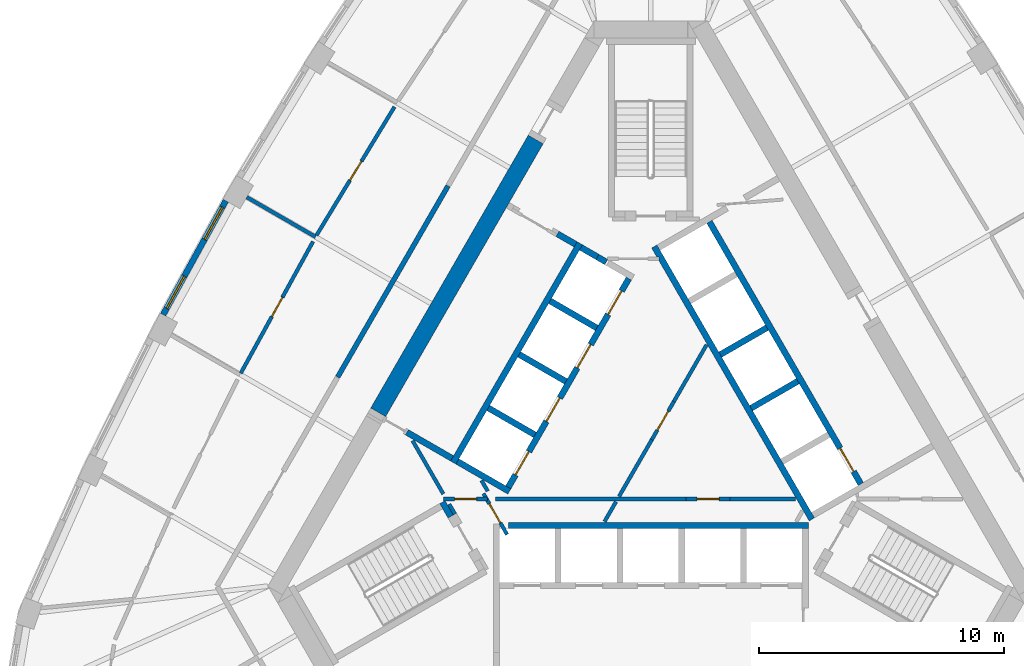
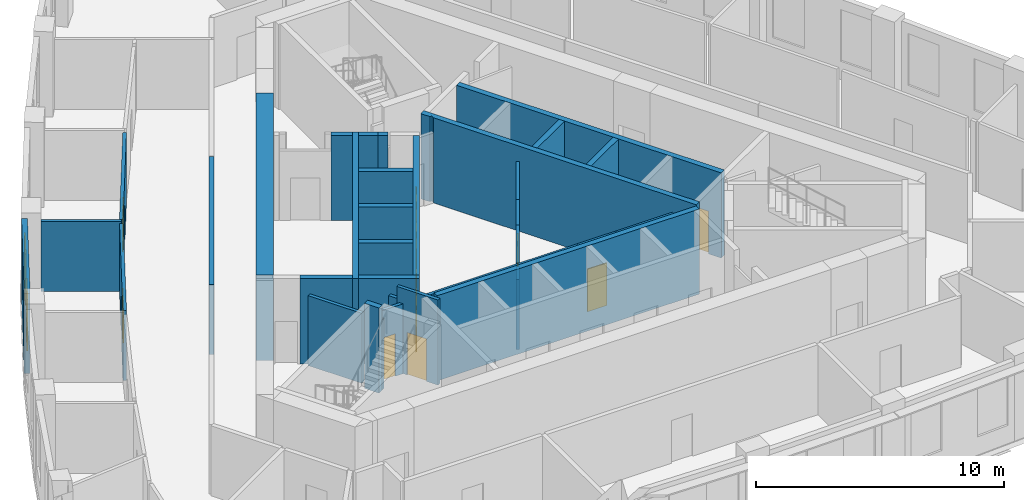
# One storey, part 5 of 11: 34 walls, 11 doors, 2 windows, 13 openings.
"""IFC4 building model written with IfcOpenShell, lengths in metres."""

import ifcopenshell
import ifcopenshell.guid

model = None  # the IFC model being written
_history = None  # IfcOwnerHistory: only IFC2X3 demands one
_inside = {}  # id of a spatial element -> (the spatial element, [elements in it])
_under = {}  # id of a project, library or spatial element -> (it, [spatial elements below it])
_declared = {}  # id of a project -> (the project, [libraries it declares])
_typed = {}  # id of a type object -> (the type object, [elements of that type])
_made_of = {}  # id of a material, layer set ... -> (it, [elements and type objects made of it])


def new_model(schema):
    """Start an empty IFC model of exactly this schema.

    Asked for "IFC4X3", IfcOpenShell would pick the latest addendum, in which some entities
    have other attributes; the version numbers below select the first issue.
    IFC2X3 requires an IfcOwnerHistory on every rooted entity: one is made here for all.
    """
    global model, _history
    if schema == "IFC4X3":
        model = ifcopenshell.file(schema_version=(4, 3, 0, 0))
    else:
        model = ifcopenshell.file(schema=schema)
    _inside.clear()
    _under.clear()
    _declared.clear()
    _typed.clear()
    _made_of.clear()
    _history = None
    if model.schema == "IFC2X3":
        org = make("IfcOrganization", Name="unknown")
        user = make(
            "IfcPersonAndOrganization",
            ThePerson=make("IfcPerson", FamilyName="unknown"),
            TheOrganization=org,
        )
        app = make(
            "IfcApplication",
            ApplicationDeveloper=org,
            Version="unknown",
            ApplicationFullName="unknown",
            ApplicationIdentifier="unknown",
        )
        _history = make(
            "IfcOwnerHistory",
            OwningUser=user,
            OwningApplication=app,
            ChangeAction="ADDED",
            CreationDate=0,
        )
    return model


def make(cls, **values):
    """One entity of the class cls with the attributes given. An attribute that is None is left unset."""
    return model.create_entity(
        cls, **{name: value for name, value in values.items() if value is not None}
    )


def rooted(cls, **values):
    """An entity with a GlobalId (a new one), such as an element, a storey or a relation."""
    return make(cls, GlobalId=ifcopenshell.guid.new(), OwnerHistory=_history, **values)


def si_unit(unit_type, name, prefix=None):
    """IfcSIUnit, for example si_unit("LENGTHUNIT", "METRE", prefix="MILLI")."""
    return make("IfcSIUnit", UnitType=unit_type, Prefix=prefix, Name=name)


def assignment(units):
    """IfcUnitAssignment: the units of a project."""
    return None if units is None else make("IfcUnitAssignment", Units=units)


def point(xyz):
    """IfcCartesianPoint."""
    return None if xyz is None else make("IfcCartesianPoint", Coordinates=xyz)


def direction(xyz):
    """IfcDirection."""
    return None if xyz is None else make("IfcDirection", DirectionRatios=xyz)


def frame(location, z_axis=None, x_axis=None):
    """IfcAxis2Placement3D, a coordinate frame: its origin and axes. An axis left out is left unset."""
    return make(
        "IfcAxis2Placement3D",
        Location=point(location),
        Axis=direction(z_axis),
        RefDirection=direction(x_axis),
    )


def frame_2d(location, x_axis=None):
    """IfcAxis2Placement2D, a coordinate frame in the plane: its origin and x axis."""
    return make(
        "IfcAxis2Placement2D", Location=point(location), RefDirection=direction(x_axis)
    )


def origin():
    """The frame at (0, 0, 0) with its axes left unset."""
    return frame((0.0, 0.0, 0.0))


def place(relative_to, where):
    """IfcLocalPlacement: puts the frame where relative to a parent placement (None: the world)."""
    return make(
        "IfcLocalPlacement", PlacementRelTo=relative_to, RelativePlacement=where
    )


def context(
    kind, dimensions, precision=None, world=None, true_north=None, identifier=None
):
    """IfcGeometricRepresentationContext, for example the 3D "Model" context."""
    return make(
        "IfcGeometricRepresentationContext",
        ContextIdentifier=identifier,
        ContextType=kind,
        CoordinateSpaceDimension=dimensions,
        Precision=precision,
        WorldCoordinateSystem=world,
        TrueNorth=true_north,
    )


def subcontext(parent, identifier, kind, view, scale=None):
    """IfcGeometricRepresentationSubContext, for example "Body" below "Model"."""
    return make(
        "IfcGeometricRepresentationSubContext",
        ContextIdentifier=identifier,
        ContextType=kind,
        ParentContext=parent,
        TargetScale=scale,
        TargetView=view,
    )


def project(units=None, contexts=None):
    """IfcProject with its units and contexts."""
    return rooted(
        "IfcProject",
        Name="project",
        RepresentationContexts=contexts,
        UnitsInContext=assignment(units),
    )


def spatial(cls, under=None, at=None, **own):
    """A site, building, storey or space (cls), placed at a placement, below another one or the project."""
    s = rooted(cls, ObjectPlacement=at, **own)
    if under is not None:
        _under.setdefault(under.id(), (under, []))[1].append(s)
    return s


def polyline(points):
    """IfcPolyline through the points."""
    return make("IfcPolyline", Points=[point(p) for p in points])


def profile(cls, at=None, kind="AREA", **sizes):
    """A parametric profile (cls). Its sizes go by their IFC names, for example OverallWidth=200.0."""
    return make(cls, ProfileType=kind, Position=at, **sizes)


def rectangle(**sizes):
    """IfcRectangleProfileDef."""
    return profile("IfcRectangleProfileDef", **sizes)


def outline(outer, holes=None, kind="AREA"):
    """IfcArbitraryClosedProfileDef: a profile drawn as a closed curve; with holes, ...WithVoids."""
    if holes is None:
        return make("IfcArbitraryClosedProfileDef", ProfileType=kind, OuterCurve=outer)
    return make(
        "IfcArbitraryProfileDefWithVoids",
        ProfileType=kind,
        OuterCurve=outer,
        InnerCurves=holes,
    )


def extrude(swept, where, along, depth):
    """IfcExtrudedAreaSolid: the profile swept, set in the frame where, extruded along a direction by depth."""
    return make(
        "IfcExtrudedAreaSolid",
        SweptArea=swept,
        Position=where,
        ExtrudedDirection=direction(along),
        Depth=depth,
    )


def shape(context_of_items, identifier, shape_type, items):
    """IfcShapeRepresentation: the items that make up one representation, for example the "Body"."""
    return make(
        "IfcShapeRepresentation",
        ContextOfItems=context_of_items,
        RepresentationIdentifier=identifier,
        RepresentationType=shape_type,
        Items=items,
    )


def material(Name=None, Category=None):
    """IfcMaterial."""
    return make("IfcMaterial", Name=Name, Category=Category)


def layer(
    of_material, thickness, ventilated=None, Name=None, Category=None, Priority=None
):
    """IfcMaterialLayer: one layer of a wall or slab, of a material (None: an air gap)."""
    return make(
        "IfcMaterialLayer",
        Material=of_material,
        LayerThickness=thickness,
        IsVentilated=ventilated,
        Name=Name,
        Category=Category,
        Priority=Priority,
    )


def layer_set(layers, Name=None):
    """IfcMaterialLayerSet."""
    return make("IfcMaterialLayerSet", MaterialLayers=layers, LayerSetName=Name)


def made_of(thing, what):
    """Note that an element or type object is made of a material, layer set ...; save() writes the relation."""
    if what is not None:
        _made_of.setdefault(what.id(), (what, []))[1].append(thing)
    return thing


def type_object(cls, material=None, **own):
    """A type object (cls), such as IfcWallType, which elements share."""
    return made_of(rooted(cls, **own), material)


def element(
    cls,
    number,
    at=None,
    inside=None,
    cuts=None,
    type_object=None,
    material=None,
    context=None,
    identifier="Body",
    shape_type=None,
    held_by="IfcProductDefinitionShape",
    body=None,
    shapes=None,
    **own,
):
    """One element of the class cls, such as IfcWall. Its Tag is "e" and its number.

    at: its placement. inside: the storey or other place that contains it. cuts: it is an
    opening in that element (IfcRelVoidsElement). A single representation is given by context,
    identifier, shape_type and body (its items); several are given by shapes. held_by: the class
    of the entity that holds the representations. save() writes the other relations.
    """
    e = rooted(cls, Tag="e%d" % number, ObjectPlacement=at, **own)
    if body is not None:
        shapes = [shape(context, identifier, shape_type, body)]
    if shapes is not None:
        e.Representation = make(held_by, Representations=shapes)
    if inside is not None:
        _inside.setdefault(inside.id(), (inside, []))[1].append(e)
    if cuts is not None:
        rooted(
            "IfcRelVoidsElement", RelatingBuildingElement=cuts, RelatedOpeningElement=e
        )
    if type_object is not None:
        _typed.setdefault(type_object.id(), (type_object, []))[1].append(e)
    return made_of(e, material)


def fill(opening, filler):
    """IfcRelFillsElement: the door or window that sits in an opening."""
    return rooted(
        "IfcRelFillsElement",
        RelatingOpeningElement=opening,
        RelatedBuildingElement=filler,
    )


def aggregate(whole, parts):
    """IfcRelAggregates: a whole, such as a stair, and the parts it consists of."""
    return rooted("IfcRelAggregates", RelatingObject=whole, RelatedObjects=parts)


def save(model, path):
    """Write the relations noted so far, then the file.

    IfcRelAggregates (storeys below a building ...), IfcRelContainedInSpatialStructure (elements
    in a storey), IfcRelDefinesByType, IfcRelAssociatesMaterial and IfcRelDeclares: one each for
    every whole, place, type object, material and project.
    """
    for whole, parts in _under.values():
        aggregate(whole, parts)
    for where, things in _inside.values():
        rooted(
            "IfcRelContainedInSpatialStructure",
            RelatedElements=things,
            RelatingStructure=where,
        )
    for kind, things in _typed.values():
        rooted("IfcRelDefinesByType", RelatedObjects=things, RelatingType=kind)
    for what, things in _made_of.values():
        rooted("IfcRelAssociatesMaterial", RelatedObjects=things, RelatingMaterial=what)
    for by, libraries in _declared.values():
        rooted("IfcRelDeclares", RelatingContext=by, RelatedDefinitions=libraries)
    model.write(path)


model = new_model("IFC4")

# Units and contexts
model_context = context("Model", 3, precision=1e-05, world=origin(), true_north=direction((0.0, 1.0)))
body_context = subcontext(model_context, "Body", "Model", "MODEL_VIEW")
ifc_project = project(units=[si_unit("LENGTHUNIT", "METRE"), si_unit("AREAUNIT", "SQUARE_METRE"), si_unit("VOLUMEUNIT", "CUBIC_METRE"), si_unit("PLANEANGLEUNIT", "RADIAN"), si_unit("MASSUNIT", "GRAM", prefix="KILO")], contexts=[model_context])

# Site, building, storey
site_placement = place(None, origin())
site = spatial("IfcSite", under=ifc_project, at=site_placement, CompositionType="ELEMENT")
building_placement = place(site_placement, origin())
building = spatial("IfcBuilding", under=site, at=building_placement, Name="Mestral Congress Tower", CompositionType="ELEMENT")
storey_placement = place(building_placement, frame((0.0, 0.0, 205.800048828125)))
storey = spatial("IfcBuildingStorey", under=building, at=storey_placement, Name="L48", CompositionType="ELEMENT", Elevation=205.800048828125)

# Walls
ifc_material_1 = material(Name="Fire-rated board partition")
ifc_layer_1 = layer(ifc_material_1, 0.14990234375)
ifc_layer_set_1 = layer_set([ifc_layer_1], Name="Fire-rated board partition")
wall_type_1 = type_object("IfcWallType", Name="Core partition 150", PredefinedType="PARTITIONING", material=ifc_layer_set_1)
wall_1_placement = place(storey_placement, frame((-9.717529296875, -0.41748046875, 0.0), z_axis=(0.0, 0.0, 1.0), x_axis=(0.499966538646, -0.866044721844, 0.0)))
element("IfcWall", 1, at=wall_1_placement, inside=storey, type_object=wall_type_1, Name="L48 core wall", PredefinedType="PARTITIONING", context=body_context, shape_type="SweptSolid", body=[
    extrude(rectangle(XDim=2.510986328125, YDim=0.14990234375, at=frame_2d((1.25537109375, 0.0))), origin(), (0.0, 0.0, 1.0), 3.449951171875),
])
wall_2_placement = place(storey_placement, frame((0.94091796875, 1.179443359375, 0.0), z_axis=(0.0, 0.0, 1.0), x_axis=(0.499962406319, 0.866047107418, 0.0)))
element("IfcWall", 2, at=wall_2_placement, inside=storey, type_object=wall_type_1, Name="L48 core wall", PredefinedType="PARTITIONING", context=body_context, shape_type="SweptSolid", body=[
    extrude(rectangle(XDim=2.671630859375, YDim=0.14990234375, at=frame_2d((1.3359375, 0.0))), origin(), (0.0, 0.0, 1.0), 3.449951171875),
])
wall_3_placement = place(storey_placement, frame((1.438232421875, -2.800048828125, 0.0), z_axis=(0.0, 0.0, 1.0), x_axis=(-1.0, 0.0, 0.0)))
element("IfcWall", 3, at=wall_3_placement, inside=storey, type_object=wall_type_1, Name="L48 core wall", PredefinedType="PARTITIONING", context=body_context, shape_type="SweptSolid", body=[
    extrude(rectangle(XDim=7.78125, YDim=0.14990234375, at=frame_2d((3.890625, 0.0))), origin(), (0.0, 0.0, 1.0), 3.449951171875),
])
wall_4_placement = place(storey_placement, frame((-1.41845703125, -2.90673828125, 0.0), z_axis=(0.0, 0.0, 1.0), x_axis=(-0.499978056798, -0.866038072327, 0.0)))
element("IfcWall", 4, at=wall_4_placement, inside=storey, type_object=wall_type_1, Name="L48 core wall", PredefinedType="PARTITIONING", context=body_context, shape_type="SweptSolid", body=[
    extrude(rectangle(XDim=0.93701171875, YDim=0.14990234375, at=frame_2d((0.468505859375, 0.0))), origin(), (0.0, 0.0, 1.0), 3.449951171875),
])
for number, where, z_axis, x_axis, name in (
    (5, (-1.295166015625, -2.693115234375, 0.0), (0.0, 0.0, 1.0), (0.500030943131, 0.866007538022, 0.0), "L48 core wall"),
    (6, (3.23828125, -2.800048828125, 0.0), (0.0, 0.0, 1.0), (1.0, 0.0, 0.0), "L48 core wall"),
):
    element("IfcWall", number, at=place(storey_placement, frame(where, z_axis=z_axis, x_axis=x_axis)), inside=storey, type_object=wall_type_1, Name=name, PredefinedType="PARTITIONING", context=body_context, shape_type="SweptSolid", body=[
        extrude(rectangle(XDim=2.671630859375, YDim=0.14990234375, at=frame_2d((1.3359375, 0.0))), origin(), (0.0, 0.0, 1.0), 3.449951171875),
    ])
wall_5_placement = place(storey_placement, frame((-6.65283203125, -2.476806640625, 0.0), z_axis=(0.0, 0.0, 1.0), x_axis=(-0.500002592159, 0.866023907196, 0.0)))
element("IfcWall", 7, at=wall_5_placement, inside=storey, type_object=wall_type_1, Name="L48 core wall", PredefinedType="PARTITIONING", context=body_context, shape_type="SweptSolid", body=[
    extrude(rectangle(XDim=0.5029296875, YDim=0.14990234375, at=frame_2d((0.25146484375, 0.0))), origin(), (0.0, 0.0, 1.0), 3.449951171875),
])
wall_6_placement = place(storey_placement, frame((-7.990234375, -3.41162109375, 0.0), z_axis=(0.0, 0.0, 1.0), x_axis=(-0.499858525911, 0.866107068482, 0.0)))
element("IfcWall", 8, at=wall_6_placement, inside=storey, type_object=wall_type_1, Name="L48 core wall", PredefinedType="PARTITIONING", context=body_context, shape_type="SweptSolid", body=[
    extrude(rectangle(XDim=0.466064453125, YDim=0.14990234375, at=frame_2d((0.23291015625, 0.0))), origin(), (0.0, 0.0, 1.0), 3.449951171875),
])

# Wall, opening, door
wall_7_placement = place(storey_placement, frame((0.040771484375, -0.37939453125, 0.0), z_axis=(0.0, 0.0, 1.0), x_axis=(0.499961193289, 0.866047807691, 0.0)))
wall_7 = element("IfcWall", 9, at=wall_7_placement, inside=storey, type_object=wall_type_1, Name="L48 door wall", PredefinedType="PARTITIONING", context=body_context, shape_type="SweptSolid", body=[
    extrude(rectangle(XDim=1.800048828125, YDim=0.14990234375, at=frame_2d((0.89990234375, 0.0))), origin(), (0.0, 0.0, 1.0), 3.449951171875),
])
opening_1_placement = place(wall_7_placement, frame((0.449951171875, 0.0, 0.0)))
opening_1 = element("IfcOpeningElement", 10, at=opening_1_placement, cuts=wall_7, Name="Opening SD-HUB0", PredefinedType="OPENING", context=body_context, shape_type="SweptSolid", body=[
    extrude(rectangle(XDim=0.89990234375, YDim=2.10009765625, at=frame_2d((0.449951171875, 1.050048828125))), frame((0.0, 0.0849609375, 0.0), z_axis=(0.0, -1.0, 0.0), x_axis=(1.0, 0.0, 0.0)), (0.0, 0.0, 1.0), 0.169921875),
])
ifc_material_2 = material(Name="Fire-rated steel door set", Category="steel")
door_type_1 = type_object("IfcDoorType", Name="Core door SR 900x2100", OperationType="SINGLE_SWING_LEFT", PredefinedType="DOOR", material=ifc_material_2)
door_1_placement = place(opening_1_placement, origin())
door_1 = element("IfcDoor", 11, at=door_1_placement, inside=storey, type_object=door_type_1, Name="Door SD-HUB0", OperationType="SINGLE_SWING_LEFT", OverallHeight=2.10009765625, OverallWidth=0.89990234375, PredefinedType="DOOR", context=body_context, shape_type="SweptSolid", body=[
    extrude(rectangle(XDim=0.89990234375, YDim=2.10009765625, at=frame_2d((0.449951171875, 1.050048828125))), frame((0.0, 0.02490234375, 0.0), z_axis=(0.0, -1.0, 0.0), x_axis=(1.0, 0.0, 0.0)), (0.0, 0.0, 1.0), 0.050048828125),
])
fill(opening_1, door_1)

wall_8_placement = place(storey_placement, frame((1.438232421875, -2.800048828125, 0.0), z_axis=(0.0, 0.0, 1.0), x_axis=(1.0, 0.0, 0.0)))
wall_8 = element("IfcWall", 12, at=wall_8_placement, inside=storey, type_object=wall_type_1, Name="L48 door wall", PredefinedType="PARTITIONING", context=body_context, shape_type="SweptSolid", body=[
    extrude(rectangle(XDim=1.800048828125, YDim=0.14990234375, at=frame_2d((0.89990234375, 0.0))), origin(), (0.0, 0.0, 1.0), 3.449951171875),
])
opening_2_placement = place(wall_8_placement, frame((0.449951171875, 0.0, 0.0)))
opening_2 = element("IfcOpeningElement", 13, at=opening_2_placement, cuts=wall_8, Name="Opening SD-HUB2", PredefinedType="OPENING", context=body_context, shape_type="SweptSolid", body=[
    extrude(rectangle(XDim=0.89990234375, YDim=2.10009765625, at=frame_2d((0.449951171875, 1.050048828125))), frame((0.0, 0.0849609375, 0.0), z_axis=(0.0, -1.0, 0.0), x_axis=(1.0, 0.0, 0.0)), (0.0, 0.0, 1.0), 0.169921875),
])
door_2_placement = place(opening_2_placement, origin())
door_2 = element("IfcDoor", 14, at=door_2_placement, inside=storey, type_object=door_type_1, Name="Door SD-HUB2", OperationType="SINGLE_SWING_LEFT", OverallHeight=2.10009765625, OverallWidth=0.89990234375, PredefinedType="DOOR", context=body_context, shape_type="SweptSolid", body=[
    extrude(rectangle(XDim=0.89990234375, YDim=2.10009765625, at=frame_2d((0.449951171875, 1.050048828125))), frame((0.0, 0.02490234375, 0.0), z_axis=(0.0, -1.0, 0.0), x_axis=(1.0, 0.0, 0.0)), (0.0, 0.0, 1.0), 0.050048828125),
])
fill(opening_2, door_2)

wall_9_placement = place(storey_placement, frame((-6.654541015625, -2.800048828125, 0.0), z_axis=(0.0, 0.0, 1.0), x_axis=(-1.0, 0.0, 0.0)))
wall_9 = element("IfcWall", 15, at=wall_9_placement, inside=storey, type_object=wall_type_1, Name="L48 door wall", PredefinedType="PARTITIONING", context=body_context, shape_type="SweptSolid", body=[
    extrude(rectangle(XDim=1.800048828125, YDim=0.14990234375, at=frame_2d((0.89990234375, 0.0))), origin(), (0.0, 0.0, 1.0), 3.449951171875),
])
opening_3_placement = place(wall_9_placement, frame((0.449951171875, 0.0, 0.0)))
opening_3 = element("IfcOpeningElement", 16, at=opening_3_placement, cuts=wall_9, Name="Opening SD-HUB5", PredefinedType="OPENING", context=body_context, shape_type="SweptSolid", body=[
    extrude(rectangle(XDim=0.89990234375, YDim=2.10009765625, at=frame_2d((0.449951171875, 1.050048828125))), frame((0.0, 0.0849609375, 0.0), z_axis=(0.0, -1.0, 0.0), x_axis=(1.0, 0.0, 0.0)), (0.0, 0.0, 1.0), 0.169921875),
])
door_3_placement = place(opening_3_placement, origin())
door_3 = element("IfcDoor", 17, at=door_3_placement, inside=storey, type_object=door_type_1, Name="Door SD-HUB5", OperationType="SINGLE_SWING_LEFT", OverallHeight=2.10009765625, OverallWidth=0.89990234375, PredefinedType="DOOR", context=body_context, shape_type="SweptSolid", body=[
    extrude(rectangle(XDim=0.89990234375, YDim=2.10009765625, at=frame_2d((0.449951171875, 1.050048828125))), frame((0.0, 0.02490234375, 0.0), z_axis=(0.0, -1.0, 0.0), x_axis=(1.0, 0.0, 0.0)), (0.0, 0.0, 1.0), 0.050048828125),
])
fill(opening_3, door_3)

# Wall
ifc_material_3 = material(Name="Concrete C60/75", Category="concrete")
ifc_layer_2 = layer(ifc_material_3, 0.699951171875)
ifc_layer_set_2 = layer_set([ifc_layer_2], Name="Concrete C60/75")
wall_type_2 = type_object("IfcWallType", Name="Core wall RC 700", PredefinedType="SOLIDWALL", material=ifc_layer_set_2)
wall_10_placement = place(storey_placement, frame((-4.695556640625, 11.866943359375, 0.0), z_axis=(0.0, 0.0, 1.0), x_axis=(-0.500003726532, -0.866023252259, 0.0)))
element("IfcWall", 18, at=wall_10_placement, inside=storey, type_object=wall_type_2, Name="L48 core wall", PredefinedType="SOLIDWALL", context=body_context, shape_type="SweptSolid", body=[
    extrude(rectangle(XDim=12.84814453125, YDim=0.699951171875, at=frame_2d((6.424072265625, 0.0))), origin(), (0.0, 0.0, 1.0), 4.199951171875),
])

# Wall, openings, windows
ifc_material_4 = material(Name="Precast concrete C40/50 with limestone facing", Category="masonry")
ifc_layer_3 = layer(ifc_material_4, 0.239990234375)
ifc_layer_set_3 = layer_set([ifc_layer_3], Name="Precast concrete C40/50 with limestone facing")
wall_type_3 = type_object("IfcWallType", Name="Facade stone wall 240", PredefinedType="SOLIDWALL", material=ifc_layer_set_3)
wall_11_placement = place(storey_placement, frame((-17.338134765625, 9.367919921875, 0.0), z_axis=(0.0, 0.0, 1.0), x_axis=(-0.481925825015, -0.876212017256, 0.0)))
wall_11 = element("IfcWall", 19, at=wall_11_placement, inside=storey, type_object=wall_type_3, Name="Facade wall F2-03", PredefinedType="SOLIDWALL", context=body_context, shape_type="SweptSolid", body=[
    extrude(rectangle(XDim=5.298583984375, YDim=0.239990234375, at=frame_2d((2.6494140625, 0.0))), origin(), (0.0, 0.0, 1.0), 3.949951171875),
])
opening_4_placement = place(wall_11_placement, frame((0.294677734375, 0.0, 0.89990234375)))
opening_4 = element("IfcOpeningElement", 20, at=opening_4_placement, cuts=wall_11, Name="Opening W4", PredefinedType="OPENING", context=body_context, shape_type="SweptSolid", body=[
    extrude(rectangle(XDim=1.5, YDim=2.550048828125, at=frame_2d((0.75, 1.27490234375))), frame((0.0, 0.1298828125, 0.0), z_axis=(0.0, -1.0, 0.0), x_axis=(1.0, 0.0, 0.0)), (0.0, 0.0, 1.0), 0.260009765625),
])
opening_5_placement = place(wall_11_placement, frame((3.503662109375, 0.0, 0.89990234375)))
opening_5 = element("IfcOpeningElement", 21, at=opening_5_placement, cuts=wall_11, Name="Opening W4", PredefinedType="OPENING", context=body_context, shape_type="SweptSolid", body=[
    extrude(rectangle(XDim=1.5, YDim=2.550048828125, at=frame_2d((0.75, 1.27490234375))), frame((0.0, 0.1298828125, 0.0), z_axis=(0.0, -1.0, 0.0), x_axis=(1.0, 0.0, 0.0)), (0.0, 0.0, 1.0), 0.260009765625),
])
ifc_material_5 = material(Name="Clear low-emissivity double glazing", Category="glass")
window_type = type_object("IfcWindowType", Name="Facade punched window 1500 x 2550 sill 900", PartitioningType="SINGLE_PANEL", PredefinedType="WINDOW", material=ifc_material_5)
window_1_placement = place(opening_4_placement, origin())
window_1 = element("IfcWindow", 22, at=window_1_placement, inside=storey, type_object=window_type, Name="Window F2-03a", OverallHeight=2.550048828125, OverallWidth=1.5, PartitioningType="SINGLE_PANEL", PredefinedType="WINDOW", context=body_context, shape_type="SweptSolid", body=[
    extrude(rectangle(XDim=1.5, YDim=2.550048828125, at=frame_2d((0.75, 1.27490234375))), frame((0.0, 0.0400390625, 0.0), z_axis=(0.0, -1.0, 0.0), x_axis=(1.0, 0.0, 0.0)), (0.0, 0.0, 1.0), 0.06005859375),
])
fill(opening_4, window_1)
window_2_placement = place(opening_5_placement, origin())
window_2 = element("IfcWindow", 23, at=window_2_placement, inside=storey, type_object=window_type, Name="Window F2-03b", OverallHeight=2.550048828125, OverallWidth=1.5, PartitioningType="SINGLE_PANEL", PredefinedType="WINDOW", context=body_context, shape_type="SweptSolid", body=[
    extrude(rectangle(XDim=1.5, YDim=2.550048828125, at=frame_2d((0.75, 1.27490234375))), frame((0.0, 0.0400390625, 0.0), z_axis=(0.0, -1.0, 0.0), x_axis=(1.0, 0.0, 0.0)), (0.0, 0.0, 1.0), 0.06005859375),
])
fill(opening_5, window_2)

# Wall
ifc_material_6 = material(Name="Plasterboard partition on steel studs", Category="steel")
ifc_layer_4 = layer(ifc_material_6, 0.14990234375)
ifc_layer_set_4 = layer_set([ifc_layer_4], Name="Plasterboard partition on steel studs")
wall_type_4 = type_object("IfcWallType", Name="Office partition 150", PredefinedType="PARTITIONING", material=ifc_layer_set_4)
wall_12_placement = place(storey_placement, frame((-13.67431640625, 7.89501953125, 0.0), z_axis=(0.0, 0.0, 1.0), x_axis=(-0.866032537582, 0.499987643696, 0.0)))
element("IfcWall", 24, at=wall_12_placement, inside=storey, type_object=wall_type_4, Name="Partition", PredefinedType="PARTITIONING", context=body_context, shape_type="SweptSolid", body=[
    extrude(rectangle(XDim=3.24072265625, YDim=0.14990234375, at=frame_2d((1.620361328125, 0.0))), origin(), (0.0, 0.0, 1.0), 3.449951171875),
])

# Wall, opening, door
wall_13_placement = place(storey_placement, frame((-13.635498046875, 7.958984375, 0.0), z_axis=(0.0, 0.0, 1.0), x_axis=(0.518788941184, 0.854902353784, 0.0)))
wall_13 = element("IfcWall", 25, at=wall_13_placement, inside=storey, type_object=wall_type_4, Name="Partition", PredefinedType="PARTITIONING", context=body_context, shape_type="SweptSolid", body=[
    extrude(rectangle(XDim=6.129150390625, YDim=0.14990234375, at=frame_2d((3.064453125, 0.0))), origin(), (0.0, 0.0, 1.0), 3.449951171875),
])
opening_6_placement = place(wall_13_placement, frame((2.62890625, 0.0, 0.0)))
opening_6 = element("IfcOpeningElement", 26, at=opening_6_placement, cuts=wall_13, Name="Opening O06-013", PredefinedType="OPENING", context=body_context, shape_type="SweptSolid", body=[
    extrude(rectangle(XDim=0.89990234375, YDim=2.10009765625, at=frame_2d((0.449951171875, 1.050048828125))), frame((0.0, 0.0849609375, 0.0), z_axis=(0.0, -1.0, 0.0), x_axis=(1.0, 0.0, 0.0)), (0.0, 0.0, 1.0), 0.169921875),
])
ifc_material_7 = material(Name="Timber door set", Category="wood")
door_type_2 = type_object("IfcDoorType", Name="Office door 900x2100", OperationType="SINGLE_SWING_LEFT", PredefinedType="DOOR", material=ifc_material_7)
door_4_placement = place(opening_6_placement, origin())
door_4 = element("IfcDoor", 27, at=door_4_placement, inside=storey, type_object=door_type_2, Name="Door O06-013", OperationType="SINGLE_SWING_RIGHT", OverallHeight=2.10009765625, OverallWidth=0.89990234375, PredefinedType="DOOR", context=body_context, shape_type="SweptSolid", body=[
    extrude(rectangle(XDim=0.89990234375, YDim=2.10009765625, at=frame_2d((0.449951171875, 1.050048828125))), frame((0.0, 0.02490234375, 0.0), z_axis=(0.0, -1.0, 0.0), x_axis=(1.0, 0.0, 0.0)), (0.0, 0.0, 1.0), 0.050048828125),
])
fill(opening_6, door_4)

wall_14_placement = place(storey_placement, frame((-16.725341796875, 2.33349609375, 0.0), z_axis=(0.0, 0.0, 1.0), x_axis=(0.480955103875, 0.876745224142, 0.0)))
wall_14 = element("IfcWall", 28, at=wall_14_placement, inside=storey, type_object=wall_type_4, Name="Partition", PredefinedType="PARTITIONING", context=body_context, shape_type="SweptSolid", body=[
    extrude(rectangle(XDim=6.12890625, YDim=0.14990234375, at=frame_2d((3.064453125, 0.0))), origin(), (0.0, 0.0, 1.0), 3.449951171875),
])
opening_7_placement = place(wall_14_placement, frame((2.629150390625, 0.0, 0.0)))
opening_7 = element("IfcOpeningElement", 29, at=opening_7_placement, cuts=wall_14, Name="Opening O06-014", PredefinedType="OPENING", context=body_context, shape_type="SweptSolid", body=[
    extrude(rectangle(XDim=0.89990234375, YDim=2.10009765625, at=frame_2d((0.449951171875, 1.050048828125))), frame((0.0, 0.0849609375, 0.0), z_axis=(0.0, -1.0, 0.0), x_axis=(1.0, 0.0, 0.0)), (0.0, 0.0, 1.0), 0.169921875),
])
door_5_placement = place(opening_7_placement, origin())
door_5 = element("IfcDoor", 30, at=door_5_placement, inside=storey, type_object=door_type_2, Name="Door O06-014", OperationType="SINGLE_SWING_RIGHT", OverallHeight=2.10009765625, OverallWidth=0.89990234375, PredefinedType="DOOR", context=body_context, shape_type="SweptSolid", body=[
    extrude(rectangle(XDim=0.89990234375, YDim=2.10009765625, at=frame_2d((0.449951171875, 1.050048828125))), frame((0.0, 0.02490234375, 0.0), z_axis=(0.0, -1.0, 0.0), x_axis=(1.0, 0.0, 0.0)), (0.0, 0.0, 1.0), 0.050048828125),
])
fill(opening_7, door_5)

# Walls
ifc_material_8 = material(Name="Dense masonry wall, plastered", Category="masonry")
ifc_layer_5 = layer(ifc_material_8, 0.199951171875)
ifc_layer_set_5 = layer_set([ifc_layer_5], Name="Dense masonry wall, plastered")
wall_type_5 = type_object("IfcWallType", Name="Office tenancy wall 200", PredefinedType="PARTITIONING", material=ifc_layer_set_5)
wall_15_placement = place(storey_placement, frame((-8.272216796875, 9.97216796875, 0.0), z_axis=(0.0, 0.0, 1.0), x_axis=(-0.5000018851, -0.866024315419, 0.0)))
element("IfcWall", 31, at=wall_15_placement, inside=storey, type_object=wall_type_5, Name="Tenancy wall", PredefinedType="PARTITIONING", context=body_context, shape_type="SweptSolid", body=[
    extrude(rectangle(XDim=9.0, YDim=0.199951171875, at=frame_2d((4.5, 0.0))), origin(), (0.0, 0.0, 1.0), 3.449951171875),
])
ifc_layer_6 = layer(ifc_material_3, 0.25)
ifc_layer_set_6 = layer_set([ifc_layer_6], Name="Concrete C60/75")
wall_type_6 = type_object("IfcWallType", Name="Shaft wall RC 250", PredefinedType="SOLIDWALL", material=ifc_layer_set_6)
wall_16_placement = place(storey_placement, frame((-5.806396484375, -3.875, 0.0), z_axis=(0.0, 0.0, 1.0), x_axis=(1.0, 0.0, 0.0)))
element("IfcWall", 32, at=wall_16_placement, inside=storey, type_object=wall_type_6, Name="L48 core wall", PredefinedType="SOLIDWALL", context=body_context, shape_type="SweptSolid", body=[
    extrude(rectangle(XDim=12.2314453125, YDim=0.25, at=frame_2d((6.11572265625, 0.0))), origin(), (0.0, 0.0, 1.0), 4.199951171875),
])
wall_17_placement = place(storey_placement, origin())
element("IfcWall", 33, at=wall_17_placement, inside=storey, type_object=wall_type_6, Name="L48 core wall", PredefinedType="SOLIDWALL", context=body_context, shape_type="SweptSolid", body=[
    extrude(outline(polyline([(0.33203125, 6.9248046875), (0.334716796875, 6.9248046875), (0.334716796875, 6.925048828125), (0.334716796875, 6.925048828125), (0.334716796875, 7.074951171875), (0.334716796875, 7.074951171875), (0.334716796875, 7.0751953125), (0.245361328125, 7.0751953125), (0.03515625, 7.439208984375), (0.251708984375, 7.564208984375), (0.376708984375, 7.34765625), (1.51171875, 5.3818359375), (1.63671875, 5.165283203125), (2.220947265625, 4.153076171875), (2.771484375, 3.199462890625), (2.896484375, 2.98291015625), (3.13818359375, 2.564208984375), (4.031494140625, 1.01708984375), (4.156494140625, 0.800537109375), (5.29150390625, -1.165283203125), (5.41650390625, -1.3818359375), (6.072998046875, -2.518798828125), (6.551513671875, -3.34765625), (6.676513671875, -3.564208984375), (6.460205078125, -3.689208984375), (0.33203125, 6.9248046875)])), origin(), (0.0, 0.0, 1.0), 4.199951171875),
])
for number, where, z_axis, x_axis, name in (
    (34, (2.833984375, 3.091064453125, 0.0), (0.0, 0.0, 1.0), (0.866008176907, 0.50002983664, 0.0), "L48 core wall"),
    (35, (4.093994140625, 0.90869140625, 0.0), (0.0, 0.0, 1.0), (0.866008176907, 0.50002983664, 0.0), "L48 core wall"),
):
    element("IfcWall", number, at=place(storey_placement, frame(where, z_axis=z_axis, x_axis=x_axis)), inside=storey, type_object=wall_type_6, Name=name, PredefinedType="SOLIDWALL", context=body_context, shape_type="SweptSolid", body=[
        extrude(rectangle(XDim=2.199951171875, YDim=0.25, at=frame_2d((1.10009765625, 0.0))), origin(), (0.0, 0.0, 1.0), 4.199951171875),
    ])
wall_18_placement = place(storey_placement, frame((-8.06005859375, -1.310546875, 0.0), z_axis=(0.0, 0.0, 1.0), x_axis=(0.50000273126, 0.866023826885, 0.0)))
element("IfcWall", 36, at=wall_18_placement, inside=storey, type_object=wall_type_6, Name="L48 core wall", PredefinedType="SOLIDWALL", context=body_context, shape_type="SweptSolid", body=[
    extrude(rectangle(XDim=10.330078125, YDim=0.25, at=frame_2d((5.1650390625, 0.0))), origin(), (0.0, 0.0, 1.0), 4.199951171875),
])
wall_19_placement = place(storey_placement, frame((-1.818603515625, 6.869873046875, 0.0), z_axis=(0.0, 0.0, 1.0), x_axis=(-0.866294599386, 0.499533449405, 0.0)))
element("IfcWall", 37, at=wall_19_placement, inside=storey, type_object=wall_type_6, Name="L48 core wall", PredefinedType="SOLIDWALL", context=body_context, shape_type="SweptSolid", body=[
    extrude(rectangle(XDim=0.41015625, YDim=0.25, at=frame_2d((0.205078125, 0.0))), origin(), (0.0, 0.0, 1.0), 4.199951171875),
])
wall_20_placement = place(storey_placement, frame((-2.849365234375, 7.46484375, 0.0), z_axis=(0.0, 0.0, 1.0), x_axis=(0.865955664968, -0.500120771724, 0.0)))
element("IfcWall", 38, at=wall_20_placement, inside=storey, type_object=wall_type_6, Name="L48 core wall", PredefinedType="SOLIDWALL", context=body_context, shape_type="SweptSolid", body=[
    extrude(rectangle(XDim=0.778076171875, YDim=0.25, at=frame_2d((0.38916015625, 0.0))), origin(), (0.0, 0.0, 1.0), 4.199951171875),
])
for number, where, z_axis, x_axis, name in (
    (39, (-2.2041015625, 4.182373046875, 0.0), (0.0, 0.0, 1.0), (-0.866008176907, 0.50002983664, 0.0), "L48 core wall"),
    (40, (-5.369384765625, 3.10009765625, 0.0), (0.0, 0.0, 1.0), (0.866008176907, -0.50002983664, 0.0), "L48 core wall"),
    (41, (-4.72412109375, -0.182373046875, 0.0), (0.0, 0.0, 1.0), (-0.866008176907, 0.50002983664, 0.0), "L48 core wall"),
):
    element("IfcWall", number, at=place(storey_placement, frame(where, z_axis=z_axis, x_axis=x_axis)), inside=storey, type_object=wall_type_6, Name=name, PredefinedType="SOLIDWALL", context=body_context, shape_type="SweptSolid", body=[
        extrude(rectangle(XDim=2.199951171875, YDim=0.25, at=frame_2d((1.10009765625, 0.0))), origin(), (0.0, 0.0, 1.0), 4.199951171875),
    ])
wall_21_placement = place(storey_placement, frame((-7.889404296875, -1.264892578125, 0.0), z_axis=(0.0, 0.0, 1.0), x_axis=(0.866057815567, -0.499943856944, 0.0)))
element("IfcWall", 42, at=wall_21_placement, inside=storey, type_object=wall_type_6, Name="L48 core wall", PredefinedType="SOLIDWALL", context=body_context, shape_type="SweptSolid", body=[
    extrude(rectangle(XDim=2.449951171875, YDim=0.25, at=frame_2d((1.22509765625, 0.0))), origin(), (0.0, 0.0, 1.0), 4.199951171875),
])
wall_22_placement = place(storey_placement, frame((-9.949951171875, -0.074951171875, 0.0), z_axis=(0.0, 0.0, 1.0), x_axis=(0.865962177421, -0.500109495288, 0.0)))
element("IfcWall", 43, at=wall_22_placement, inside=storey, type_object=wall_type_6, Name="L48 core wall", PredefinedType="SOLIDWALL", context=body_context, shape_type="SweptSolid", body=[
    extrude(rectangle(XDim=2.12939453125, YDim=0.25, at=frame_2d((1.064697265625, 0.0))), origin(), (0.0, 0.0, 1.0), 4.199951171875),
])
wall_23_placement = place(storey_placement, frame((-3.808837890625, 8.018798828125, 0.0), z_axis=(0.0, 0.0, 1.0), x_axis=(0.866010229787, -0.500026281214, 0.0)))
element("IfcWall", 44, at=wall_23_placement, inside=storey, type_object=wall_type_6, Name="L48 core wall", PredefinedType="SOLIDWALL", context=body_context, shape_type="SweptSolid", body=[
    extrude(rectangle(XDim=0.85791015625, YDim=0.25, at=frame_2d((0.428955078125, 0.0))), origin(), (0.0, 0.0, 1.0), 4.199951171875),
])

# Wall, opening, door
wall_24_placement = place(storey_placement, frame((8.565185546875, -2.185302734375, 0.0), z_axis=(0.0, 0.0, 1.0), x_axis=(-0.499997954832, 0.866026584559, 0.0)))
wall_24 = element("IfcWall", 45, at=wall_24_placement, inside=storey, type_object=wall_type_6, Name="L48 door wall", PredefinedType="SOLIDWALL", context=body_context, shape_type="SweptSolid", body=[
    extrude(rectangle(XDim=12.35009765625, YDim=0.25, at=frame_2d((6.175048828125, 0.0))), origin(), (0.0, 0.0, 1.0), 4.199951171875),
])
opening_8_placement = place(wall_24_placement, frame((0.5849609375, 0.0, 0.0)))
opening_8 = element("IfcOpeningElement", 46, at=opening_8_placement, cuts=wall_24, Name="Opening LD-NEB1", PredefinedType="OPENING", context=body_context, shape_type="SweptSolid", body=[
    extrude(rectangle(XDim=1.10009765625, YDim=2.10009765625, at=frame_2d((0.550048828125, 1.050048828125))), frame((0.0, 0.135009765625, 0.0), z_axis=(0.0, -1.0, 0.0), x_axis=(1.0, 0.0, 0.0)), (0.0, 0.0, 1.0), 0.27001953125),
])
door_type_3 = type_object("IfcDoorType", Name="Core door LD 1100x2100", OperationType="DOUBLE_DOOR_SLIDING", PredefinedType="DOOR", material=ifc_material_2)
door_6_placement = place(opening_8_placement, origin())
door_6 = element("IfcDoor", 47, at=door_6_placement, inside=storey, type_object=door_type_3, Name="Door LD-NEB1", OperationType="DOUBLE_DOOR_SLIDING", OverallHeight=2.10009765625, OverallWidth=1.10009765625, PredefinedType="DOOR", context=body_context, shape_type="SweptSolid", body=[
    extrude(rectangle(XDim=1.10009765625, YDim=2.10009765625, at=frame_2d((0.550048828125, 1.050048828125))), frame((0.0, 0.02490234375, 0.0), z_axis=(0.0, -1.0, 0.0), x_axis=(1.0, 0.0, 0.0)), (0.0, 0.0, 1.0), 0.050048828125),
])
fill(opening_8, door_6)

# Wall, openings, doors
wall_25_placement = place(storey_placement, frame((-0.898193359375, 6.194091796875, 0.0), z_axis=(0.0, 0.0, 1.0), x_axis=(-0.499996202215, -0.866027596426, 0.0)))
wall_25 = element("IfcWall", 48, at=wall_25_placement, inside=storey, type_object=wall_type_6, Name="L48 door wall", PredefinedType="SOLIDWALL", context=body_context, shape_type="SweptSolid", body=[
    extrude(rectangle(XDim=9.830078125, YDim=0.25, at=frame_2d((4.9150390625, 0.0))), origin(), (0.0, 0.0, 1.0), 4.199951171875),
])
opening_9_placement = place(wall_25_placement, frame((0.5849609375, 0.0, 0.0)))
opening_9 = element("IfcOpeningElement", 49, at=opening_9_placement, cuts=wall_25, Name="Opening LD-NWB1", PredefinedType="OPENING", context=body_context, shape_type="SweptSolid", body=[
    extrude(rectangle(XDim=1.10009765625, YDim=2.10009765625, at=frame_2d((0.550048828125, 1.050048828125))), frame((0.0, 0.135009765625, 0.0), z_axis=(0.0, -1.0, 0.0), x_axis=(1.0, 0.0, 0.0)), (0.0, 0.0, 1.0), 0.27001953125),
])
opening_10_placement = place(wall_25_placement, frame((3.10498046875, 0.0, 0.0)))
opening_10 = element("IfcOpeningElement", 50, at=opening_10_placement, cuts=wall_25, Name="Opening LD-NWB2", PredefinedType="OPENING", context=body_context, shape_type="SweptSolid", body=[
    extrude(rectangle(XDim=1.10009765625, YDim=2.10009765625, at=frame_2d((0.550048828125, 1.050048828125))), frame((0.0, 0.135009765625, 0.0), z_axis=(0.0, -1.0, 0.0), x_axis=(1.0, 0.0, 0.0)), (0.0, 0.0, 1.0), 0.27001953125),
])
opening_11_placement = place(wall_25_placement, frame((5.625, 0.0, 0.0)))
opening_11 = element("IfcOpeningElement", 51, at=opening_11_placement, cuts=wall_25, Name="Opening LD-NWB3", PredefinedType="OPENING", context=body_context, shape_type="SweptSolid", body=[
    extrude(rectangle(XDim=1.10009765625, YDim=2.10009765625, at=frame_2d((0.550048828125, 1.050048828125))), frame((0.0, 0.135009765625, 0.0), z_axis=(0.0, -1.0, 0.0), x_axis=(1.0, 0.0, 0.0)), (0.0, 0.0, 1.0), 0.27001953125),
])
opening_12_placement = place(wall_25_placement, frame((8.14501953125, 0.0, 0.0)))
opening_12 = element("IfcOpeningElement", 52, at=opening_12_placement, cuts=wall_25, Name="Opening LD-NWB4", PredefinedType="OPENING", context=body_context, shape_type="SweptSolid", body=[
    extrude(rectangle(XDim=1.10009765625, YDim=2.10009765625, at=frame_2d((0.550048828125, 1.050048828125))), frame((0.0, 0.135009765625, 0.0), z_axis=(0.0, -1.0, 0.0), x_axis=(1.0, 0.0, 0.0)), (0.0, 0.0, 1.0), 0.27001953125),
])
door_7_placement = place(opening_9_placement, origin())
door_7 = element("IfcDoor", 53, at=door_7_placement, inside=storey, type_object=door_type_3, Name="Door LD-NWB1", OperationType="DOUBLE_DOOR_SLIDING", OverallHeight=2.10009765625, OverallWidth=1.10009765625, PredefinedType="DOOR", context=body_context, shape_type="SweptSolid", body=[
    extrude(rectangle(XDim=1.10009765625, YDim=2.10009765625, at=frame_2d((0.550048828125, 1.050048828125))), frame((0.0, 0.02490234375, 0.0), z_axis=(0.0, -1.0, 0.0), x_axis=(1.0, 0.0, 0.0)), (0.0, 0.0, 1.0), 0.050048828125),
])
fill(opening_9, door_7)
door_8_placement = place(opening_10_placement, origin())
door_8 = element("IfcDoor", 54, at=door_8_placement, inside=storey, type_object=door_type_3, Name="Door LD-NWB2", OperationType="DOUBLE_DOOR_SLIDING", OverallHeight=2.10009765625, OverallWidth=1.10009765625, PredefinedType="DOOR", context=body_context, shape_type="SweptSolid", body=[
    extrude(rectangle(XDim=1.10009765625, YDim=2.10009765625, at=frame_2d((0.550048828125, 1.050048828125))), frame((0.0, 0.02490234375, 0.0), z_axis=(0.0, -1.0, 0.0), x_axis=(1.0, 0.0, 0.0)), (0.0, 0.0, 1.0), 0.050048828125),
])
fill(opening_10, door_8)
door_9_placement = place(opening_11_placement, origin())
door_9 = element("IfcDoor", 55, at=door_9_placement, inside=storey, type_object=door_type_3, Name="Door LD-NWB3", OperationType="DOUBLE_DOOR_SLIDING", OverallHeight=2.10009765625, OverallWidth=1.10009765625, PredefinedType="DOOR", context=body_context, shape_type="SweptSolid", body=[
    extrude(rectangle(XDim=1.10009765625, YDim=2.10009765625, at=frame_2d((0.550048828125, 1.050048828125))), frame((0.0, 0.02490234375, 0.0), z_axis=(0.0, -1.0, 0.0), x_axis=(1.0, 0.0, 0.0)), (0.0, 0.0, 1.0), 0.050048828125),
])
fill(opening_11, door_9)
door_10_placement = place(opening_12_placement, origin())
door_10 = element("IfcDoor", 56, at=door_10_placement, inside=storey, type_object=door_type_3, Name="Door LD-NWB4", OperationType="DOUBLE_DOOR_SLIDING", OverallHeight=2.10009765625, OverallWidth=1.10009765625, PredefinedType="DOOR", context=body_context, shape_type="SweptSolid", body=[
    extrude(rectangle(XDim=1.10009765625, YDim=2.10009765625, at=frame_2d((0.550048828125, 1.050048828125))), frame((0.0, 0.02490234375, 0.0), z_axis=(0.0, -1.0, 0.0), x_axis=(1.0, 0.0, 0.0)), (0.0, 0.0, 1.0), 0.050048828125),
])
fill(opening_12, door_10)

# Wall, opening, door
ifc_layer_7 = layer(ifc_material_3, 0.14990234375)
ifc_layer_set_7 = layer_set([ifc_layer_7], Name="Concrete C60/75")
wall_type_7 = type_object("IfcWallType", Name="Shaft wall RC 250 door-wall 150", PredefinedType="SOLIDWALL", material=ifc_layer_set_7)
wall_26_placement = place(storey_placement, frame((-5.861083984375, -4.248291015625, 0.0), z_axis=(0.0, 0.0, 1.0), x_axis=(-0.500043646338, 0.866000203093, 0.0)))
wall_26 = element("IfcWall", 57, at=wall_26_placement, inside=storey, type_object=wall_type_7, Name="L48 door wall", PredefinedType="PARTITIONING", context=body_context, shape_type="SweptSolid", body=[
    extrude(rectangle(XDim=1.929931640625, YDim=0.14990234375, at=frame_2d((0.96484375, 0.0))), origin(), (0.0, 0.0, 1.0), 4.199951171875),
])
opening_13_placement = place(wall_26_placement, frame((0.550048828125, 0.0, 0.0)))
opening_13 = element("IfcOpeningElement", 58, at=opening_13_placement, cuts=wall_26, Name="Opening CD3-HUB4", PredefinedType="OPENING", context=body_context, shape_type="SweptSolid", body=[
    extrude(rectangle(XDim=0.89990234375, YDim=2.10009765625, at=frame_2d((0.449951171875, 1.050048828125))), frame((0.0, 0.0849609375, 0.0), z_axis=(0.0, -1.0, 0.0), x_axis=(1.0, 0.0, 0.0)), (0.0, 0.0, 1.0), 0.169921875),
])
door_type_4 = type_object("IfcDoorType", Name="Core door CD 900x2100", OperationType="SINGLE_SWING_LEFT", PredefinedType="DOOR", material=ifc_material_2)
door_11_placement = place(opening_13_placement, origin())
door_11 = element("IfcDoor", 59, at=door_11_placement, inside=storey, type_object=door_type_4, Name="Door CD3-HUB4", OperationType="SINGLE_SWING_LEFT", OverallHeight=2.10009765625, OverallWidth=0.89990234375, PredefinedType="DOOR", context=body_context, shape_type="SweptSolid", body=[
    extrude(rectangle(XDim=0.89990234375, YDim=2.10009765625, at=frame_2d((0.449951171875, 1.050048828125))), frame((0.0, 0.02490234375, 0.0), z_axis=(0.0, -1.0, 0.0), x_axis=(1.0, 0.0, 0.0)), (0.0, 0.0, 1.0), 0.050048828125),
])
fill(opening_13, door_11)

# Wall
ifc_layer_8 = layer(ifc_material_3, 0.25)
ifc_layer_set_8 = layer_set([ifc_layer_8], Name="Concrete C60/75")
wall_type_8 = type_object("IfcWallType", Name="Stair wall RC 250", PredefinedType="SOLIDWALL", material=ifc_layer_set_8)
wall_27_placement = place(storey_placement, frame((-8.1630859375, -3.51123046875, 0.0), z_axis=(0.0, 0.0, 1.0), x_axis=(-0.499994068514, 0.866028828302, 0.0)))
element("IfcWall", 60, at=wall_27_placement, inside=storey, type_object=wall_type_8, Name="L48 core wall", PredefinedType="SOLIDWALL", context=body_context, shape_type="SweptSolid", body=[
    extrude(rectangle(XDim=0.67431640625, YDim=0.25, at=frame_2d((0.337158203125, 0.0))), origin(), (0.0, 0.0, 1.0), 4.199951171875),
])

save(model, "model.ifc")
